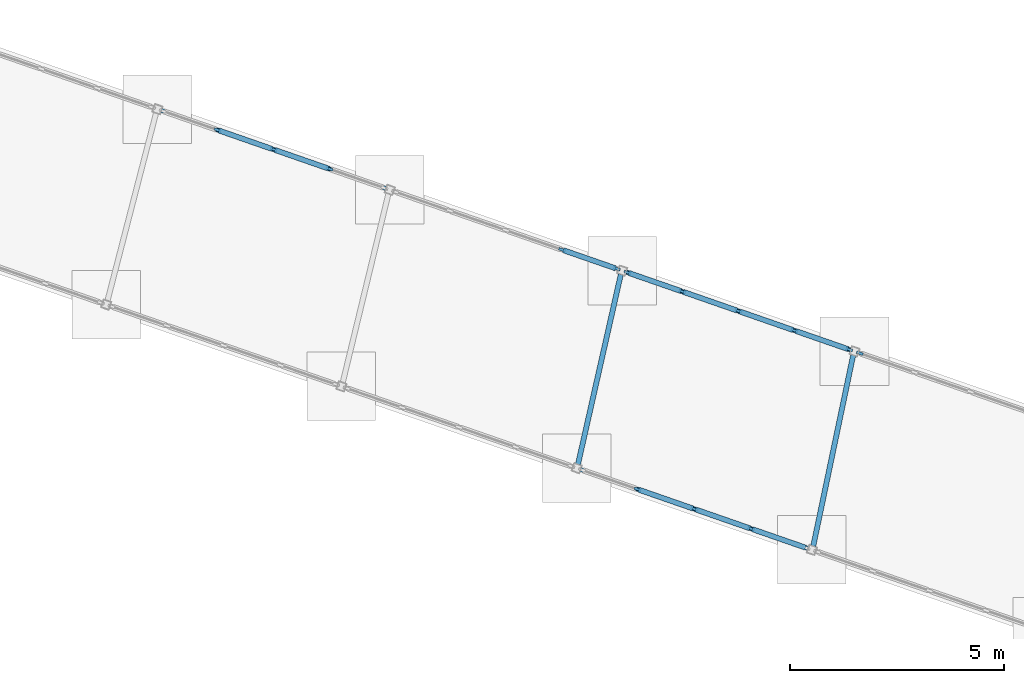
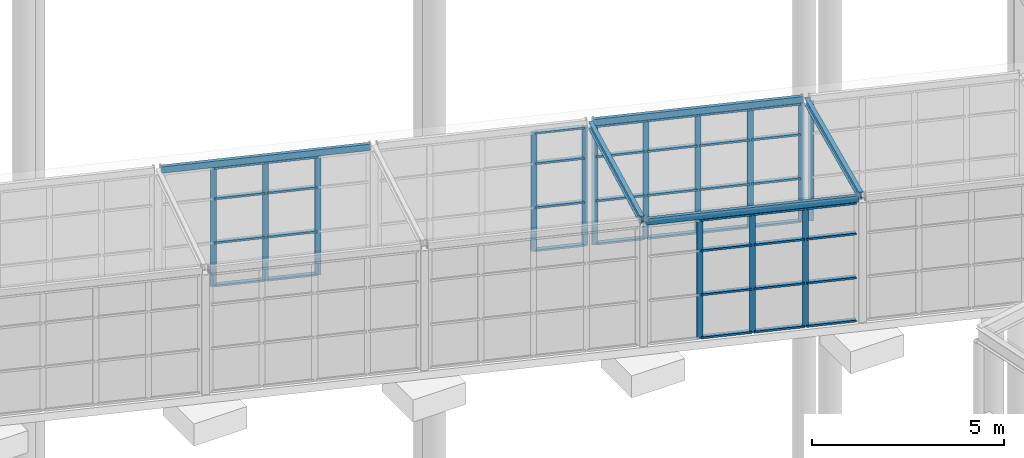
# One storey, part 56 of 226: 54 members, 5 beams, 5 elements without a shape of their own.
"""IFC4 building model written with IfcOpenShell, lengths in metres."""

from ifc_helpers import new_model, si_unit, direction, frame, origin, origin_2d, place, context, subcontext, project, spatial, rectangle, hollow_rectangle, i_section, extrude, material, material_profile, profile_set, type_object, element, aggregate, save


model = new_model("IFC4")

# Units and contexts
model_context = context("Model", 3, precision=1e-05, world=origin(), true_north=direction((0.0, 1.0)))
body_context = subcontext(model_context, "Body", "Model", "MODEL_VIEW")
ifc_project = project(units=[si_unit("LENGTHUNIT", "METRE"), si_unit("AREAUNIT", "SQUARE_METRE"), si_unit("VOLUMEUNIT", "CUBIC_METRE"), si_unit("PLANEANGLEUNIT", "RADIAN"), si_unit("MASSUNIT", "GRAM", prefix="KILO")], contexts=[model_context])

# Site, building, storey
site_placement = place(None, origin())
site = spatial("IfcSite", under=ifc_project, at=site_placement, CompositionType="ELEMENT")
building_placement = place(site_placement, origin())
building = spatial("IfcBuilding", under=site, at=building_placement, Name="Ceibo Conservatory and Research Tower", CompositionType="ELEMENT")
storey_placement = place(building_placement, origin())
storey = spatial("IfcBuildingStorey", under=building, at=storey_placement, Name="L00", CompositionType="ELEMENT", Elevation=0.0)

# Curtain wall, members
ifc_material_1 = material(Name="Aluminium and glass", Category="aluminium")
curtain_wall_type = type_object("IfcCurtainWallType", Name="Gallery curtain wall", PredefinedType="NOTDEFINED", material=ifc_material_1)
curtain_wall_1_placement = place(storey_placement, origin())
curtain_wall_1 = element("IfcCurtainWall", 1, at=curtain_wall_1_placement, inside=storey, type_object=curtain_wall_type, Name="Gallery curtain wall AUD-VC-CWN11", PredefinedType="NOTDEFINED")
ifc_material_2 = material(Name="Aluminium", Category="aluminium")
ifc_material_profile_1 = material_profile(ifc_material_2, rectangle(XDim=0.06005859375, YDim=0.159912109375, at=origin_2d()), Name="AL 60x160")
ifc_profile_set_1 = profile_set([ifc_material_profile_1], Name="Aluminium")
member_type_1 = type_object("IfcMemberType", Name="Gallery mullion 60x160", PredefinedType="MULLION", material=ifc_profile_set_1)
member_1_placement = place(storey_placement, frame((122.227783203125, 50.678466796875, 0.0), z_axis=(0.0, 0.0, 1.0), x_axis=(0.328283515513, 0.944579236191, 0.0)))
member_1 = element("IfcMember", 2, at=member_1_placement, type_object=member_type_1, Name="AUD-VC-CWN11 mullion 2", PredefinedType="MULLION", context=body_context, shape_type="SweptSolid", body=[
    extrude(rectangle(XDim=0.06005859375, YDim=0.159912109375, at=origin_2d()), origin(), (0.0, 0.0, 1.0), 3.800048828125),
])
member_2_placement = place(storey_placement, frame((123.535888671875, 50.223876953125, 0.0), z_axis=(0.0, 0.0, 1.0), x_axis=(0.328283515513, 0.944579236191, 0.0)))
member_2 = element("IfcMember", 3, at=member_2_placement, type_object=member_type_1, Name="AUD-VC-CWN11 mullion 3", PredefinedType="MULLION", context=body_context, shape_type="SweptSolid", body=[
    extrude(rectangle(XDim=0.06005859375, YDim=0.159912109375, at=origin_2d()), origin(), (0.0, 0.0, 1.0), 3.800048828125),
])
member_3_placement = place(storey_placement, frame((124.84375, 49.769287109375, 0.0), z_axis=(0.0, 0.0, 1.0), x_axis=(0.328283515513, 0.944579236191, 0.0)))
member_3 = element("IfcMember", 4, at=member_3_placement, type_object=member_type_1, Name="AUD-VC-CWN11 mullion 4", PredefinedType="MULLION", context=body_context, shape_type="SweptSolid", body=[
    extrude(rectangle(XDim=0.06005859375, YDim=0.159912109375, at=origin_2d()), origin(), (0.0, 0.0, 1.0), 3.800048828125),
])

curtain_wall_2_placement = place(storey_placement, origin())
curtain_wall_2 = element("IfcCurtainWall", 5, at=curtain_wall_2_placement, inside=storey, type_object=curtain_wall_type, Name="Gallery curtain wall AUD-VC-CWN12", PredefinedType="NOTDEFINED")
member_4_placement = place(storey_placement, frame((130.264404296875, 47.88525390625, 0.0), z_axis=(0.0, 0.0, 1.0), x_axis=(0.328283515513, 0.944579236191, 0.0)))
member_4 = element("IfcMember", 6, at=member_4_placement, type_object=member_type_1, Name="AUD-VC-CWN12 mullion 4", PredefinedType="MULLION", context=body_context, shape_type="SweptSolid", body=[
    extrude(rectangle(XDim=0.06005859375, YDim=0.159912109375, at=origin_2d()), origin(), (0.0, 0.0, 1.0), 3.800048828125),
])
member_5_placement = place(storey_placement, frame((131.5439453125, 47.440673828125, 0.0), z_axis=(0.0, 0.0, 1.0), x_axis=(0.328283515513, 0.944579236191, 0.0)))
member_5 = element("IfcMember", 7, at=member_5_placement, type_object=member_type_1, Name="AUD-VC-CWN12 mullion 5", PredefinedType="MULLION", context=body_context, shape_type="SweptSolid", body=[
    extrude(rectangle(XDim=0.06005859375, YDim=0.159912109375, at=origin_2d()), origin(), (0.0, 0.0, 1.0), 3.800048828125),
])

curtain_wall_3_placement = place(storey_placement, origin())
curtain_wall_3 = element("IfcCurtainWall", 8, at=curtain_wall_3_placement, inside=storey, type_object=curtain_wall_type, Name="Gallery curtain wall AUD-VC-CWN13", PredefinedType="NOTDEFINED")
member_6_placement = place(storey_placement, frame((131.78955078125, 47.355224609375, 0.0), z_axis=(0.0, 0.0, 1.0), x_axis=(0.328283515513, 0.944579236191, 0.0)))
member_6 = element("IfcMember", 9, at=member_6_placement, type_object=member_type_1, Name="AUD-VC-CWN13 mullion 1", PredefinedType="MULLION", context=body_context, shape_type="SweptSolid", body=[
    extrude(rectangle(XDim=0.06005859375, YDim=0.159912109375, at=origin_2d()), origin(), (0.0, 0.0, 1.0), 3.800048828125),
])
member_7_placement = place(storey_placement, frame((133.069091796875, 46.91064453125, 0.0), z_axis=(0.0, 0.0, 1.0), x_axis=(0.328283515513, 0.944579236191, 0.0)))
member_7 = element("IfcMember", 10, at=member_7_placement, type_object=member_type_1, Name="AUD-VC-CWN13 mullion 2", PredefinedType="MULLION", context=body_context, shape_type="SweptSolid", body=[
    extrude(rectangle(XDim=0.06005859375, YDim=0.159912109375, at=origin_2d()), origin(), (0.0, 0.0, 1.0), 3.800048828125),
])
member_8_placement = place(storey_placement, frame((134.376953125, 46.4560546875, 0.0), z_axis=(0.0, 0.0, 1.0), x_axis=(0.328283515513, 0.944579236191, 0.0)))
member_8 = element("IfcMember", 11, at=member_8_placement, type_object=member_type_1, Name="AUD-VC-CWN13 mullion 3", PredefinedType="MULLION", context=body_context, shape_type="SweptSolid", body=[
    extrude(rectangle(XDim=0.06005859375, YDim=0.159912109375, at=origin_2d()), origin(), (0.0, 0.0, 1.0), 3.800048828125),
])
member_9_placement = place(storey_placement, frame((135.684814453125, 46.00146484375, 0.0), z_axis=(0.0, 0.0, 1.0), x_axis=(0.328283515513, 0.944579236191, 0.0)))
member_9 = element("IfcMember", 12, at=member_9_placement, type_object=member_type_1, Name="AUD-VC-CWN13 mullion 4", PredefinedType="MULLION", context=body_context, shape_type="SweptSolid", body=[
    extrude(rectangle(XDim=0.06005859375, YDim=0.159912109375, at=origin_2d()), origin(), (0.0, 0.0, 1.0), 3.800048828125),
])
member_10_placement = place(storey_placement, frame((136.96435546875, 45.556640625, 0.0), z_axis=(0.0, 0.0, 1.0), x_axis=(0.328283515513, 0.944579236191, 0.0)))
member_10 = element("IfcMember", 13, at=member_10_placement, type_object=member_type_1, Name="AUD-VC-CWN13 mullion 5", PredefinedType="MULLION", context=body_context, shape_type="SweptSolid", body=[
    extrude(rectangle(XDim=0.06005859375, YDim=0.159912109375, at=origin_2d()), origin(), (0.0, 0.0, 1.0), 3.800048828125),
])

# Curtain wall, member
curtain_wall_4_placement = place(storey_placement, origin())
curtain_wall_4 = element("IfcCurtainWall", 14, at=curtain_wall_4_placement, inside=storey, type_object=curtain_wall_type, Name="Gallery curtain wall AUD-VC-CWN14", PredefinedType="NOTDEFINED")
member_11_placement = place(storey_placement, frame((137.2099609375, 45.471435546875, 0.0), z_axis=(0.0, 0.0, 1.0), x_axis=(0.328283515513, 0.944579236191, 0.0)))
member_11 = element("IfcMember", 15, at=member_11_placement, type_object=member_type_1, Name="AUD-VC-CWN14 mullion 1", PredefinedType="MULLION", context=body_context, shape_type="SweptSolid", body=[
    extrude(rectangle(XDim=0.06005859375, YDim=0.159912109375, at=origin_2d()), origin(), (0.0, 0.0, 1.0), 3.800048828125),
])
aggregate(curtain_wall_4, [member_11])

# Curtain wall, members
curtain_wall_5_placement = place(storey_placement, origin())
curtain_wall_5 = element("IfcCurtainWall", 16, at=curtain_wall_5_placement, inside=storey, type_object=curtain_wall_type, Name="Gallery curtain wall AUD-VC-CWS13", PredefinedType="NOTDEFINED")
member_12_placement = place(storey_placement, frame((132.02490234375, 42.2978515625, 0.0), z_axis=(0.0, 0.0, 1.0), x_axis=(0.328283515513, 0.944579236191, 0.0)))
member_12 = element("IfcMember", 17, at=member_12_placement, type_object=member_type_1, Name="AUD-VC-CWS13 mullion 2", PredefinedType="MULLION", context=body_context, shape_type="SweptSolid", body=[
    extrude(rectangle(XDim=0.06005859375, YDim=0.159912109375, at=origin_2d()), origin(), (0.0, 0.0, 1.0), 3.800048828125),
])
member_13_placement = place(storey_placement, frame((133.349609375, 41.83740234375, 0.0), z_axis=(0.0, 0.0, 1.0), x_axis=(0.328283515513, 0.944579236191, 0.0)))
member_13 = element("IfcMember", 18, at=member_13_placement, type_object=member_type_1, Name="AUD-VC-CWS13 mullion 3", PredefinedType="MULLION", context=body_context, shape_type="SweptSolid", body=[
    extrude(rectangle(XDim=0.06005859375, YDim=0.159912109375, at=origin_2d()), origin(), (0.0, 0.0, 1.0), 3.800048828125),
])
member_14_placement = place(storey_placement, frame((134.674560546875, 41.376953125, 0.0), z_axis=(0.0, 0.0, 1.0), x_axis=(0.328283515513, 0.944579236191, 0.0)))
member_14 = element("IfcMember", 19, at=member_14_placement, type_object=member_type_1, Name="AUD-VC-CWS13 mullion 4", PredefinedType="MULLION", context=body_context, shape_type="SweptSolid", body=[
    extrude(rectangle(XDim=0.06005859375, YDim=0.159912109375, at=origin_2d()), origin(), (0.0, 0.0, 1.0), 3.800048828125),
])

# Member
ifc_material_profile_2 = material_profile(ifc_material_2, rectangle(XDim=0.1201171875, YDim=0.06005859375, at=origin_2d()), Name="AL 60x120")
ifc_profile_set_2 = profile_set([ifc_material_profile_2], Name="Aluminium")
member_type_2 = type_object("IfcMemberType", Name="Gallery transom 60x120", PredefinedType="USERDEFINED", material=ifc_profile_set_2)
member_15_placement = place(storey_placement, frame((122.256103515625, 50.66845703125, 0.030029296875), z_axis=(0.944588759267, -0.32825611322, 0.0), x_axis=(0.32825611322, 0.944588759267, 0.0)))
member_15 = element("IfcMember", 20, at=member_15_placement, type_object=member_type_2, Name="AUD-VC-CWN11 transom 2.1", ObjectType="TRANSOM", PredefinedType="USERDEFINED", context=body_context, shape_type="SweptSolid", body=[
    extrude(rectangle(XDim=0.1201171875, YDim=0.06005859375, at=origin_2d()), origin(), (0.0, 0.0, 1.0), 1.32470703125),
])

member_16_placement = place(storey_placement, frame((122.256103515625, 50.66845703125, 1.39990234375), z_axis=(0.944588759267, -0.32825611322, 0.0), x_axis=(0.32825611322, 0.944588759267, 0.0)))
member_16 = element("IfcMember", 21, at=member_16_placement, type_object=member_type_2, Name="AUD-VC-CWN11 transom 2.2", ObjectType="TRANSOM", PredefinedType="USERDEFINED", context=body_context, shape_type="SweptSolid", body=[
    extrude(rectangle(XDim=0.1201171875, YDim=0.06005859375, at=origin_2d()), origin(), (0.0, 0.0, 1.0), 1.32470703125),
])

member_17_placement = place(storey_placement, frame((122.256103515625, 50.66845703125, 2.800048828125), z_axis=(0.944588759267, -0.32825611322, 0.0), x_axis=(0.32825611322, 0.944588759267, 0.0)))
member_17 = element("IfcMember", 22, at=member_17_placement, type_object=member_type_2, Name="AUD-VC-CWN11 transom 2.3", ObjectType="TRANSOM", PredefinedType="USERDEFINED", context=body_context, shape_type="SweptSolid", body=[
    extrude(rectangle(XDim=0.1201171875, YDim=0.06005859375, at=origin_2d()), origin(), (0.0, 0.0, 1.0), 1.32470703125),
])

member_18_placement = place(storey_placement, frame((122.256103515625, 50.66845703125, 3.77001953125), z_axis=(0.944588759267, -0.32825611322, 0.0), x_axis=(0.32825611322, 0.944588759267, 0.0)))
member_18 = element("IfcMember", 23, at=member_18_placement, type_object=member_type_2, Name="AUD-VC-CWN11 transom 2.4", ObjectType="TRANSOM", PredefinedType="USERDEFINED", context=body_context, shape_type="SweptSolid", body=[
    extrude(rectangle(XDim=0.1201171875, YDim=0.06005859375, at=origin_2d()), origin(), (0.0, 0.0, 1.0), 1.32470703125),
])

member_19_placement = place(storey_placement, frame((123.564208984375, 50.2138671875, 0.030029296875), z_axis=(0.944588759267, -0.32825611322, 0.0), x_axis=(0.32825611322, 0.944588759267, 0.0)))
member_19 = element("IfcMember", 24, at=member_19_placement, type_object=member_type_2, Name="AUD-VC-CWN11 transom 3.1", ObjectType="TRANSOM", PredefinedType="USERDEFINED", context=body_context, shape_type="SweptSolid", body=[
    extrude(rectangle(XDim=0.1201171875, YDim=0.06005859375, at=origin_2d()), origin(), (0.0, 0.0, 1.0), 1.32470703125),
])

member_20_placement = place(storey_placement, frame((123.564208984375, 50.2138671875, 1.39990234375), z_axis=(0.944588759267, -0.32825611322, 0.0), x_axis=(0.32825611322, 0.944588759267, 0.0)))
member_20 = element("IfcMember", 25, at=member_20_placement, type_object=member_type_2, Name="AUD-VC-CWN11 transom 3.2", ObjectType="TRANSOM", PredefinedType="USERDEFINED", context=body_context, shape_type="SweptSolid", body=[
    extrude(rectangle(XDim=0.1201171875, YDim=0.06005859375, at=origin_2d()), origin(), (0.0, 0.0, 1.0), 1.32470703125),
])

member_21_placement = place(storey_placement, frame((123.564208984375, 50.2138671875, 2.800048828125), z_axis=(0.944588759267, -0.32825611322, 0.0), x_axis=(0.32825611322, 0.944588759267, 0.0)))
member_21 = element("IfcMember", 26, at=member_21_placement, type_object=member_type_2, Name="AUD-VC-CWN11 transom 3.3", ObjectType="TRANSOM", PredefinedType="USERDEFINED", context=body_context, shape_type="SweptSolid", body=[
    extrude(rectangle(XDim=0.1201171875, YDim=0.06005859375, at=origin_2d()), origin(), (0.0, 0.0, 1.0), 1.32470703125),
])

member_22_placement = place(storey_placement, frame((123.564208984375, 50.2138671875, 3.77001953125), z_axis=(0.944588759267, -0.32825611322, 0.0), x_axis=(0.32825611322, 0.944588759267, 0.0)))
member_22 = element("IfcMember", 27, at=member_22_placement, type_object=member_type_2, Name="AUD-VC-CWN11 transom 3.4", ObjectType="TRANSOM", PredefinedType="USERDEFINED", context=body_context, shape_type="SweptSolid", body=[
    extrude(rectangle(XDim=0.1201171875, YDim=0.06005859375, at=origin_2d()), origin(), (0.0, 0.0, 1.0), 1.32470703125),
])

aggregate(curtain_wall_1, [member_1, member_2, member_3, member_15, member_16, member_17, member_18, member_19, member_20, member_21, member_22])

member_23_placement = place(storey_placement, frame((130.292724609375, 47.87548828125, 0.030029296875), z_axis=(0.944570549154, -0.328308509898, 0.0), x_axis=(0.328308509898, 0.944570549154, 0.0)))
member_23 = element("IfcMember", 28, at=member_23_placement, type_object=member_type_2, Name="AUD-VC-CWN12 transom 4.1", ObjectType="TRANSOM", PredefinedType="USERDEFINED", context=body_context, shape_type="SweptSolid", body=[
    extrude(rectangle(XDim=0.1201171875, YDim=0.06005859375, at=origin_2d()), origin(), (0.0, 0.0, 1.0), 1.294677734375),
])

member_24_placement = place(storey_placement, frame((130.292724609375, 47.87548828125, 1.39990234375), z_axis=(0.944570549154, -0.328308509898, 0.0), x_axis=(0.328308509898, 0.944570549154, 0.0)))
member_24 = element("IfcMember", 29, at=member_24_placement, type_object=member_type_2, Name="AUD-VC-CWN12 transom 4.2", ObjectType="TRANSOM", PredefinedType="USERDEFINED", context=body_context, shape_type="SweptSolid", body=[
    extrude(rectangle(XDim=0.1201171875, YDim=0.06005859375, at=origin_2d()), origin(), (0.0, 0.0, 1.0), 1.294677734375),
])

member_25_placement = place(storey_placement, frame((130.292724609375, 47.87548828125, 2.800048828125), z_axis=(0.944570549154, -0.328308509898, 0.0), x_axis=(0.328308509898, 0.944570549154, 0.0)))
member_25 = element("IfcMember", 30, at=member_25_placement, type_object=member_type_2, Name="AUD-VC-CWN12 transom 4.3", ObjectType="TRANSOM", PredefinedType="USERDEFINED", context=body_context, shape_type="SweptSolid", body=[
    extrude(rectangle(XDim=0.1201171875, YDim=0.06005859375, at=origin_2d()), origin(), (0.0, 0.0, 1.0), 1.294677734375),
])

member_26_placement = place(storey_placement, frame((130.292724609375, 47.87548828125, 3.77001953125), z_axis=(0.944570549154, -0.328308509898, 0.0), x_axis=(0.328308509898, 0.944570549154, 0.0)))
member_26 = element("IfcMember", 31, at=member_26_placement, type_object=member_type_2, Name="AUD-VC-CWN12 transom 4.4", ObjectType="TRANSOM", PredefinedType="USERDEFINED", context=body_context, shape_type="SweptSolid", body=[
    extrude(rectangle(XDim=0.1201171875, YDim=0.06005859375, at=origin_2d()), origin(), (0.0, 0.0, 1.0), 1.294677734375),
])

aggregate(curtain_wall_2, [member_4, member_5, member_23, member_24, member_25, member_26])

member_27_placement = place(storey_placement, frame((131.81787109375, 47.345458984375, 0.030029296875), z_axis=(0.944570549154, -0.328308509898, 0.0), x_axis=(0.328308509898, 0.944570549154, 0.0)))
member_27 = element("IfcMember", 32, at=member_27_placement, type_object=member_type_2, Name="AUD-VC-CWN13 transom 1.1", ObjectType="TRANSOM", PredefinedType="USERDEFINED", context=body_context, shape_type="SweptSolid", body=[
    extrude(rectangle(XDim=0.1201171875, YDim=0.06005859375, at=origin_2d()), origin(), (0.0, 0.0, 1.0), 1.294677734375),
])

member_28_placement = place(storey_placement, frame((131.81787109375, 47.345458984375, 1.39990234375), z_axis=(0.944570549154, -0.328308509898, 0.0), x_axis=(0.328308509898, 0.944570549154, 0.0)))
member_28 = element("IfcMember", 33, at=member_28_placement, type_object=member_type_2, Name="AUD-VC-CWN13 transom 1.2", ObjectType="TRANSOM", PredefinedType="USERDEFINED", context=body_context, shape_type="SweptSolid", body=[
    extrude(rectangle(XDim=0.1201171875, YDim=0.06005859375, at=origin_2d()), origin(), (0.0, 0.0, 1.0), 1.294677734375),
])

member_29_placement = place(storey_placement, frame((131.81787109375, 47.345458984375, 2.800048828125), z_axis=(0.944570549154, -0.328308509898, 0.0), x_axis=(0.328308509898, 0.944570549154, 0.0)))
member_29 = element("IfcMember", 34, at=member_29_placement, type_object=member_type_2, Name="AUD-VC-CWN13 transom 1.3", ObjectType="TRANSOM", PredefinedType="USERDEFINED", context=body_context, shape_type="SweptSolid", body=[
    extrude(rectangle(XDim=0.1201171875, YDim=0.06005859375, at=origin_2d()), origin(), (0.0, 0.0, 1.0), 1.294677734375),
])

member_30_placement = place(storey_placement, frame((131.81787109375, 47.345458984375, 3.77001953125), z_axis=(0.944570549154, -0.328308509898, 0.0), x_axis=(0.328308509898, 0.944570549154, 0.0)))
member_30 = element("IfcMember", 35, at=member_30_placement, type_object=member_type_2, Name="AUD-VC-CWN13 transom 1.4", ObjectType="TRANSOM", PredefinedType="USERDEFINED", context=body_context, shape_type="SweptSolid", body=[
    extrude(rectangle(XDim=0.1201171875, YDim=0.06005859375, at=origin_2d()), origin(), (0.0, 0.0, 1.0), 1.294677734375),
])

member_31_placement = place(storey_placement, frame((133.097412109375, 46.900634765625, 0.030029296875), z_axis=(0.944588759267, -0.32825611322, 0.0), x_axis=(0.32825611322, 0.944588759267, 0.0)))
member_31 = element("IfcMember", 36, at=member_31_placement, type_object=member_type_2, Name="AUD-VC-CWN13 transom 2.1", ObjectType="TRANSOM", PredefinedType="USERDEFINED", context=body_context, shape_type="SweptSolid", body=[
    extrude(rectangle(XDim=0.1201171875, YDim=0.06005859375, at=origin_2d()), origin(), (0.0, 0.0, 1.0), 1.32470703125),
])

member_32_placement = place(storey_placement, frame((133.097412109375, 46.900634765625, 1.39990234375), z_axis=(0.944588759267, -0.32825611322, 0.0), x_axis=(0.32825611322, 0.944588759267, 0.0)))
member_32 = element("IfcMember", 37, at=member_32_placement, type_object=member_type_2, Name="AUD-VC-CWN13 transom 2.2", ObjectType="TRANSOM", PredefinedType="USERDEFINED", context=body_context, shape_type="SweptSolid", body=[
    extrude(rectangle(XDim=0.1201171875, YDim=0.06005859375, at=origin_2d()), origin(), (0.0, 0.0, 1.0), 1.32470703125),
])

member_33_placement = place(storey_placement, frame((133.097412109375, 46.900634765625, 2.800048828125), z_axis=(0.944588759267, -0.32825611322, 0.0), x_axis=(0.32825611322, 0.944588759267, 0.0)))
member_33 = element("IfcMember", 38, at=member_33_placement, type_object=member_type_2, Name="AUD-VC-CWN13 transom 2.3", ObjectType="TRANSOM", PredefinedType="USERDEFINED", context=body_context, shape_type="SweptSolid", body=[
    extrude(rectangle(XDim=0.1201171875, YDim=0.06005859375, at=origin_2d()), origin(), (0.0, 0.0, 1.0), 1.32470703125),
])

member_34_placement = place(storey_placement, frame((133.097412109375, 46.900634765625, 3.77001953125), z_axis=(0.944588759267, -0.32825611322, 0.0), x_axis=(0.32825611322, 0.944588759267, 0.0)))
member_34 = element("IfcMember", 39, at=member_34_placement, type_object=member_type_2, Name="AUD-VC-CWN13 transom 2.4", ObjectType="TRANSOM", PredefinedType="USERDEFINED", context=body_context, shape_type="SweptSolid", body=[
    extrude(rectangle(XDim=0.1201171875, YDim=0.06005859375, at=origin_2d()), origin(), (0.0, 0.0, 1.0), 1.32470703125),
])

member_35_placement = place(storey_placement, frame((134.4052734375, 46.4462890625, 0.030029296875), z_axis=(0.944531599956, -0.328420548512, 0.0), x_axis=(0.328420548512, 0.944531599956, 0.0)))
member_35 = element("IfcMember", 40, at=member_35_placement, type_object=member_type_2, Name="AUD-VC-CWN13 transom 3.1", ObjectType="TRANSOM", PredefinedType="USERDEFINED", context=body_context, shape_type="SweptSolid", body=[
    extrude(rectangle(XDim=0.1201171875, YDim=0.06005859375, at=origin_2d()), origin(), (0.0, 0.0, 1.0), 1.32470703125),
])

member_36_placement = place(storey_placement, frame((134.4052734375, 46.4462890625, 1.39990234375), z_axis=(0.944531599956, -0.328420548512, 0.0), x_axis=(0.328420548512, 0.944531599956, 0.0)))
member_36 = element("IfcMember", 41, at=member_36_placement, type_object=member_type_2, Name="AUD-VC-CWN13 transom 3.2", ObjectType="TRANSOM", PredefinedType="USERDEFINED", context=body_context, shape_type="SweptSolid", body=[
    extrude(rectangle(XDim=0.1201171875, YDim=0.06005859375, at=origin_2d()), origin(), (0.0, 0.0, 1.0), 1.32470703125),
])

member_37_placement = place(storey_placement, frame((134.4052734375, 46.4462890625, 2.800048828125), z_axis=(0.944531599956, -0.328420548512, 0.0), x_axis=(0.328420548512, 0.944531599956, 0.0)))
member_37 = element("IfcMember", 42, at=member_37_placement, type_object=member_type_2, Name="AUD-VC-CWN13 transom 3.3", ObjectType="TRANSOM", PredefinedType="USERDEFINED", context=body_context, shape_type="SweptSolid", body=[
    extrude(rectangle(XDim=0.1201171875, YDim=0.06005859375, at=origin_2d()), origin(), (0.0, 0.0, 1.0), 1.32470703125),
])

member_38_placement = place(storey_placement, frame((134.4052734375, 46.4462890625, 3.77001953125), z_axis=(0.944531599956, -0.328420548512, 0.0), x_axis=(0.328420548512, 0.944531599956, 0.0)))
member_38 = element("IfcMember", 43, at=member_38_placement, type_object=member_type_2, Name="AUD-VC-CWN13 transom 3.4", ObjectType="TRANSOM", PredefinedType="USERDEFINED", context=body_context, shape_type="SweptSolid", body=[
    extrude(rectangle(XDim=0.1201171875, YDim=0.06005859375, at=origin_2d()), origin(), (0.0, 0.0, 1.0), 1.32470703125),
])

member_39_placement = place(storey_placement, frame((135.713134765625, 45.99169921875, 0.030029296875), z_axis=(0.944570549154, -0.328308509898, 0.0), x_axis=(0.328308509898, 0.944570549154, 0.0)))
member_39 = element("IfcMember", 44, at=member_39_placement, type_object=member_type_2, Name="AUD-VC-CWN13 transom 4.1", ObjectType="TRANSOM", PredefinedType="USERDEFINED", context=body_context, shape_type="SweptSolid", body=[
    extrude(rectangle(XDim=0.1201171875, YDim=0.06005859375, at=origin_2d()), origin(), (0.0, 0.0, 1.0), 1.294677734375),
])

member_40_placement = place(storey_placement, frame((135.713134765625, 45.99169921875, 1.39990234375), z_axis=(0.944570549154, -0.328308509898, 0.0), x_axis=(0.328308509898, 0.944570549154, 0.0)))
member_40 = element("IfcMember", 45, at=member_40_placement, type_object=member_type_2, Name="AUD-VC-CWN13 transom 4.2", ObjectType="TRANSOM", PredefinedType="USERDEFINED", context=body_context, shape_type="SweptSolid", body=[
    extrude(rectangle(XDim=0.1201171875, YDim=0.06005859375, at=origin_2d()), origin(), (0.0, 0.0, 1.0), 1.294677734375),
])

member_41_placement = place(storey_placement, frame((135.713134765625, 45.99169921875, 2.800048828125), z_axis=(0.944570549154, -0.328308509898, 0.0), x_axis=(0.328308509898, 0.944570549154, 0.0)))
member_41 = element("IfcMember", 46, at=member_41_placement, type_object=member_type_2, Name="AUD-VC-CWN13 transom 4.3", ObjectType="TRANSOM", PredefinedType="USERDEFINED", context=body_context, shape_type="SweptSolid", body=[
    extrude(rectangle(XDim=0.1201171875, YDim=0.06005859375, at=origin_2d()), origin(), (0.0, 0.0, 1.0), 1.294677734375),
])

member_42_placement = place(storey_placement, frame((135.713134765625, 45.99169921875, 3.77001953125), z_axis=(0.944570549154, -0.328308509898, 0.0), x_axis=(0.328308509898, 0.944570549154, 0.0)))
member_42 = element("IfcMember", 47, at=member_42_placement, type_object=member_type_2, Name="AUD-VC-CWN13 transom 4.4", ObjectType="TRANSOM", PredefinedType="USERDEFINED", context=body_context, shape_type="SweptSolid", body=[
    extrude(rectangle(XDim=0.1201171875, YDim=0.06005859375, at=origin_2d()), origin(), (0.0, 0.0, 1.0), 1.294677734375),
])

aggregate(curtain_wall_3, [member_6, member_7, member_8, member_9, member_10, member_27, member_28, member_29, member_30, member_31, member_32, member_33, member_34, member_35, member_36, member_37, member_38, member_39, member_40, member_41, member_42])

member_43_placement = place(storey_placement, frame((132.05322265625, 42.287841796875, 0.030029296875), z_axis=(0.944587537953, -0.328259627648, 0.0), x_axis=(0.328259627648, 0.944587537953, 0.0)))
member_43 = element("IfcMember", 48, at=member_43_placement, type_object=member_type_2, Name="AUD-VC-CWS13 transom 2.1", ObjectType="TRANSOM", PredefinedType="USERDEFINED", context=body_context, shape_type="SweptSolid", body=[
    extrude(rectangle(XDim=0.1201171875, YDim=0.06005859375, at=origin_2d()), origin(), (0.0, 0.0, 1.0), 1.342529296875),
])

member_44_placement = place(storey_placement, frame((132.05322265625, 42.287841796875, 1.39990234375), z_axis=(0.944587537953, -0.328259627648, 0.0), x_axis=(0.328259627648, 0.944587537953, 0.0)))
member_44 = element("IfcMember", 49, at=member_44_placement, type_object=member_type_2, Name="AUD-VC-CWS13 transom 2.2", ObjectType="TRANSOM", PredefinedType="USERDEFINED", context=body_context, shape_type="SweptSolid", body=[
    extrude(rectangle(XDim=0.1201171875, YDim=0.06005859375, at=origin_2d()), origin(), (0.0, 0.0, 1.0), 1.342529296875),
])

member_45_placement = place(storey_placement, frame((132.05322265625, 42.287841796875, 2.800048828125), z_axis=(0.944587537953, -0.328259627648, 0.0), x_axis=(0.328259627648, 0.944587537953, 0.0)))
member_45 = element("IfcMember", 50, at=member_45_placement, type_object=member_type_2, Name="AUD-VC-CWS13 transom 2.3", ObjectType="TRANSOM", PredefinedType="USERDEFINED", context=body_context, shape_type="SweptSolid", body=[
    extrude(rectangle(XDim=0.1201171875, YDim=0.06005859375, at=origin_2d()), origin(), (0.0, 0.0, 1.0), 1.342529296875),
])

member_46_placement = place(storey_placement, frame((132.05322265625, 42.287841796875, 3.77001953125), z_axis=(0.944587537953, -0.328259627648, 0.0), x_axis=(0.328259627648, 0.944587537953, 0.0)))
member_46 = element("IfcMember", 51, at=member_46_placement, type_object=member_type_2, Name="AUD-VC-CWS13 transom 2.4", ObjectType="TRANSOM", PredefinedType="USERDEFINED", context=body_context, shape_type="SweptSolid", body=[
    extrude(rectangle(XDim=0.1201171875, YDim=0.06005859375, at=origin_2d()), origin(), (0.0, 0.0, 1.0), 1.342529296875),
])

member_47_placement = place(storey_placement, frame((133.3779296875, 41.827392578125, 0.030029296875), z_axis=(0.944607129256, -0.328203247027, 0.0), x_axis=(0.328203247027, 0.944607129256, 0.0)))
member_47 = element("IfcMember", 52, at=member_47_placement, type_object=member_type_2, Name="AUD-VC-CWS13 transom 3.1", ObjectType="TRANSOM", PredefinedType="USERDEFINED", context=body_context, shape_type="SweptSolid", body=[
    extrude(rectangle(XDim=0.1201171875, YDim=0.06005859375, at=origin_2d()), origin(), (0.0, 0.0, 1.0), 1.3427734375),
])

member_48_placement = place(storey_placement, frame((133.3779296875, 41.827392578125, 1.39990234375), z_axis=(0.944607129256, -0.328203247027, 0.0), x_axis=(0.328203247027, 0.944607129256, 0.0)))
member_48 = element("IfcMember", 53, at=member_48_placement, type_object=member_type_2, Name="AUD-VC-CWS13 transom 3.2", ObjectType="TRANSOM", PredefinedType="USERDEFINED", context=body_context, shape_type="SweptSolid", body=[
    extrude(rectangle(XDim=0.1201171875, YDim=0.06005859375, at=origin_2d()), origin(), (0.0, 0.0, 1.0), 1.3427734375),
])

member_49_placement = place(storey_placement, frame((133.3779296875, 41.827392578125, 2.800048828125), z_axis=(0.944607129256, -0.328203247027, 0.0), x_axis=(0.328203247027, 0.944607129256, 0.0)))
member_49 = element("IfcMember", 54, at=member_49_placement, type_object=member_type_2, Name="AUD-VC-CWS13 transom 3.3", ObjectType="TRANSOM", PredefinedType="USERDEFINED", context=body_context, shape_type="SweptSolid", body=[
    extrude(rectangle(XDim=0.1201171875, YDim=0.06005859375, at=origin_2d()), origin(), (0.0, 0.0, 1.0), 1.3427734375),
])

member_50_placement = place(storey_placement, frame((133.3779296875, 41.827392578125, 3.77001953125), z_axis=(0.944607129256, -0.328203247027, 0.0), x_axis=(0.328203247027, 0.944607129256, 0.0)))
member_50 = element("IfcMember", 55, at=member_50_placement, type_object=member_type_2, Name="AUD-VC-CWS13 transom 3.4", ObjectType="TRANSOM", PredefinedType="USERDEFINED", context=body_context, shape_type="SweptSolid", body=[
    extrude(rectangle(XDim=0.1201171875, YDim=0.06005859375, at=origin_2d()), origin(), (0.0, 0.0, 1.0), 1.3427734375),
])

member_51_placement = place(storey_placement, frame((134.702880859375, 41.366943359375, 0.030029296875), z_axis=(0.944569547246, -0.328311392455, 0.0), x_axis=(0.328311392455, 0.944569547246, 0.0)))
member_51 = element("IfcMember", 56, at=member_51_placement, type_object=member_type_2, Name="AUD-VC-CWS13 transom 4.1", ObjectType="TRANSOM", PredefinedType="USERDEFINED", context=body_context, shape_type="SweptSolid", body=[
    extrude(rectangle(XDim=0.1201171875, YDim=0.06005859375, at=origin_2d()), origin(), (0.0, 0.0, 1.0), 1.3125),
])

member_52_placement = place(storey_placement, frame((134.702880859375, 41.366943359375, 1.39990234375), z_axis=(0.944569547246, -0.328311392455, 0.0), x_axis=(0.328311392455, 0.944569547246, 0.0)))
member_52 = element("IfcMember", 57, at=member_52_placement, type_object=member_type_2, Name="AUD-VC-CWS13 transom 4.2", ObjectType="TRANSOM", PredefinedType="USERDEFINED", context=body_context, shape_type="SweptSolid", body=[
    extrude(rectangle(XDim=0.1201171875, YDim=0.06005859375, at=origin_2d()), origin(), (0.0, 0.0, 1.0), 1.3125),
])

member_53_placement = place(storey_placement, frame((134.702880859375, 41.366943359375, 2.800048828125), z_axis=(0.944569547246, -0.328311392455, 0.0), x_axis=(0.328311392455, 0.944569547246, 0.0)))
member_53 = element("IfcMember", 58, at=member_53_placement, type_object=member_type_2, Name="AUD-VC-CWS13 transom 4.3", ObjectType="TRANSOM", PredefinedType="USERDEFINED", context=body_context, shape_type="SweptSolid", body=[
    extrude(rectangle(XDim=0.1201171875, YDim=0.06005859375, at=origin_2d()), origin(), (0.0, 0.0, 1.0), 1.3125),
])

member_54_placement = place(storey_placement, frame((134.702880859375, 41.366943359375, 3.77001953125), z_axis=(0.944569547246, -0.328311392455, 0.0), x_axis=(0.328311392455, 0.944569547246, 0.0)))
member_54 = element("IfcMember", 59, at=member_54_placement, type_object=member_type_2, Name="AUD-VC-CWS13 transom 4.4", ObjectType="TRANSOM", PredefinedType="USERDEFINED", context=body_context, shape_type="SweptSolid", body=[
    extrude(rectangle(XDim=0.1201171875, YDim=0.06005859375, at=origin_2d()), origin(), (0.0, 0.0, 1.0), 1.3125),
])

aggregate(curtain_wall_5, [member_12, member_13, member_14, member_43, member_44, member_45, member_46, member_47, member_48, member_49, member_50, member_51, member_52, member_53, member_54])

# Beams
ifc_material_3 = material(Name="Steel S355J2", Category="steel")
ifc_material_profile_3 = material_profile(ifc_material_3, i_section(OverallWidth=0.1201171875, OverallDepth=0.239990234375, WebThickness=0.006103515625, FlangeThickness=0.009765625, at=origin_2d()), Name="IPE 240")
ifc_profile_set_3 = profile_set([ifc_material_profile_3], Name="Steel S355J2")
beam_type_1 = type_object("IfcBeamType", Name="IPE 240 roof beam", PredefinedType="BEAM", material=ifc_profile_set_3)
beam_1_placement = place(storey_placement, frame((131.635498046875, 47.308349609375, 3.8798828125), z_axis=(-0.220056143873, -0.975487208293, 0.0), x_axis=(0.975487208293, -0.220056143873, 0.0)))
element("IfcBeam", 60, at=beam_1_placement, inside=storey, type_object=beam_type_1, Name="Gallery roof beam AUD-VC-RB12", PredefinedType="BEAM", context=body_context, shape_type="SweptSolid", body=[
    extrude(i_section(OverallWidth=0.1201171875, OverallDepth=0.239990234375, WebThickness=0.006103515625, FlangeThickness=0.009765625, at=origin_2d()), origin(), (0.0, 0.0, 1.0), 4.538818359375),
])
beam_2_placement = place(storey_placement, frame((137.05615234375, 45.42431640625, 3.8798828125), z_axis=(-0.204771046831, -0.978809899, 0.0), x_axis=(0.978809899, -0.204771046831, 0.0)))
element("IfcBeam", 61, at=beam_2_placement, inside=storey, type_object=beam_type_1, Name="Gallery roof beam AUD-VC-RB13", PredefinedType="BEAM", context=body_context, shape_type="SweptSolid", body=[
    extrude(i_section(OverallWidth=0.1201171875, OverallDepth=0.239990234375, WebThickness=0.006103515625, FlangeThickness=0.009765625, at=origin_2d()), origin(), (0.0, 0.0, 1.0), 4.54736328125),
])
ifc_material_4 = material(Name="Steel S355J2H", Category="steel")
ifc_material_profile_4 = material_profile(ifc_material_4, hollow_rectangle(XDim=0.10009765625, YDim=0.199951171875, WallThickness=0.008056640625, at=origin_2d()), Name="RHS 200x100x8 edge beam")
ifc_profile_set_4 = profile_set([ifc_material_profile_4], Name="Steel S355J2H")
beam_type_2 = type_object("IfcBeamType", Name="RHS 200x100x8 edge beam", PredefinedType="BEAM", material=ifc_profile_set_4)
beam_3_placement = place(storey_placement, frame((120.915283203125, 51.134521484375, 3.89990234375), z_axis=(0.944575719472, -0.328293634089, 0.0), x_axis=(0.328293634089, 0.944575719472, 0.0)))
element("IfcBeam", 62, at=beam_3_placement, inside=storey, type_object=beam_type_2, Name="Gallery edge beam AUD-VC-EBN11", PredefinedType="BEAM", context=body_context, shape_type="SweptSolid", body=[
    extrude(hollow_rectangle(XDim=0.10009765625, YDim=0.199951171875, WallThickness=0.008056640625, at=origin_2d()), origin(), (0.0, 0.0, 1.0), 5.548583984375),
])
beam_4_placement = place(storey_placement, frame((131.75634765625, 47.36669921875, 3.89990234375), z_axis=(0.944580461491, -0.328279989901, 0.0), x_axis=(0.328279989901, 0.944580461491, 0.0)))
element("IfcBeam", 63, at=beam_4_placement, inside=storey, type_object=beam_type_2, Name="Gallery edge beam AUD-VC-EBN13", PredefinedType="BEAM", context=body_context, shape_type="SweptSolid", body=[
    extrude(hollow_rectangle(XDim=0.10009765625, YDim=0.199951171875, WallThickness=0.008056640625, at=origin_2d()), origin(), (0.0, 0.0, 1.0), 5.548828125),
])
beam_5_placement = place(storey_placement, frame((130.6953125, 42.759765625, 3.89990234375), z_axis=(0.944584081142, -0.328269574669, 0.0), x_axis=(0.328269574669, 0.944584081142, 0.0)))
element("IfcBeam", 64, at=beam_5_placement, inside=storey, type_object=beam_type_2, Name="Gallery edge beam AUD-VC-EBS13", PredefinedType="BEAM", context=body_context, shape_type="SweptSolid", body=[
    extrude(hollow_rectangle(XDim=0.10009765625, YDim=0.199951171875, WallThickness=0.008056640625, at=origin_2d()), origin(), (0.0, 0.0, 1.0), 5.620361328125),
])

save(model, "model.ifc")
